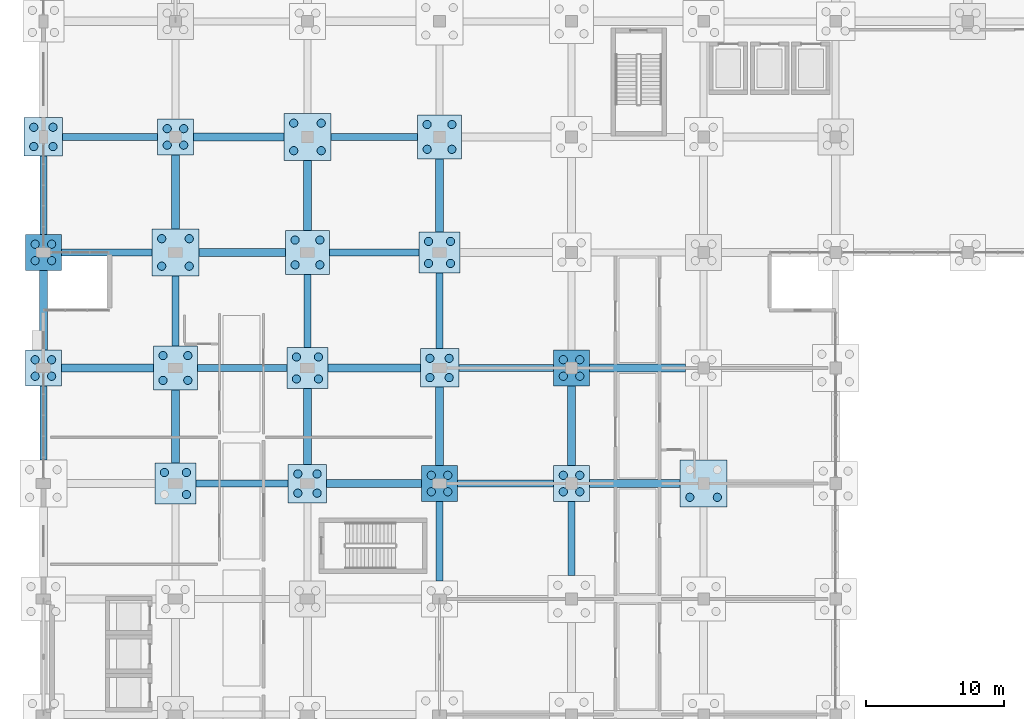
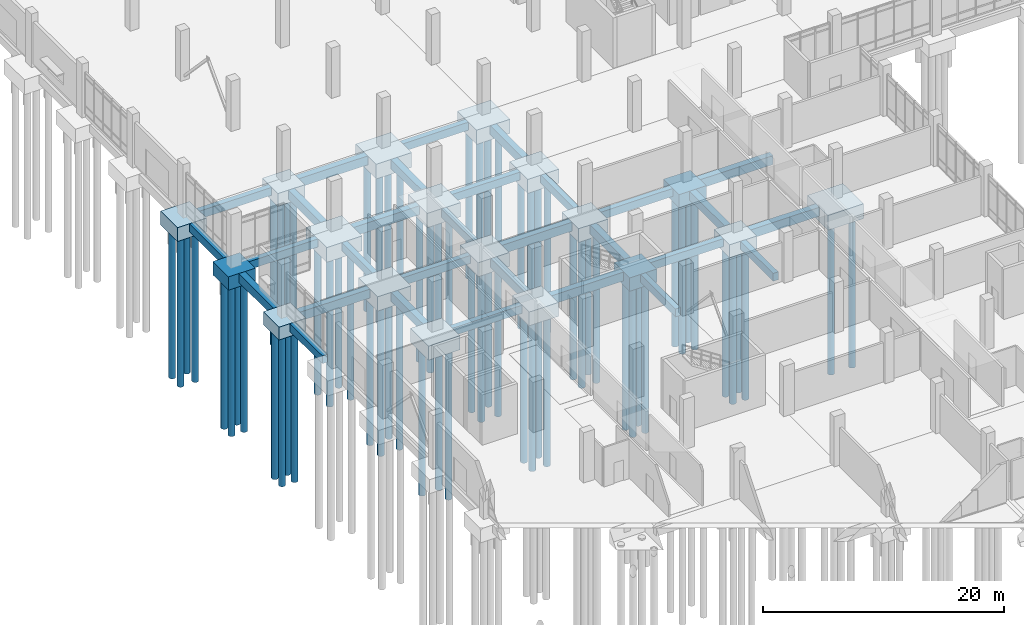
# One storey, part 6 of 136: 69 piles, 48 footings.
"""IFC4 building model written with IfcOpenShell, lengths in metres."""

from ifc_helpers import new_model, si_unit, direction, frame, origin, origin_2d, place, context, subcontext, project, spatial, rectangle, circle, extrude, material, material_profile, profile_set, type_object, element, save


model = new_model("IFC4")

# Units and contexts
model_context = context("Model", 3, precision=1e-05, world=origin(), true_north=direction((0.0, 1.0)))
body_context = subcontext(model_context, "Body", "Model", "MODEL_VIEW")
ifc_project = project(units=[si_unit("LENGTHUNIT", "METRE"), si_unit("AREAUNIT", "SQUARE_METRE"), si_unit("VOLUMEUNIT", "CUBIC_METRE"), si_unit("PLANEANGLEUNIT", "RADIAN"), si_unit("MASSUNIT", "GRAM", prefix="KILO")], contexts=[model_context])

# Site, building, storey
site_placement = place(None, origin())
site = spatial("IfcSite", under=ifc_project, at=site_placement, CompositionType="ELEMENT")
building_placement = place(site_placement, origin())
building = spatial("IfcBuilding", under=site, at=building_placement, Name="Oolite Switchyard Hospital", CompositionType="ELEMENT")
storey_placement = place(building_placement, origin())
storey = spatial("IfcBuildingStorey", under=building, at=storey_placement, Name="L00", CompositionType="ELEMENT", Elevation=0.0)

# Footings
ifc_material = material(Name="Concrete C40/50", Category="concrete")
footing_type_1 = type_object("IfcFootingType", Name="FTG-GB500X800", PredefinedType="FOOTING_BEAM", material=ifc_material)
footing_1_placement = place(storey_placement, frame((14.449951171875, 67.199951171875, -1.14990234375), z_axis=(0.0, 0.0, 1.0), x_axis=(1.0, 0.0, 0.0)))
element("IfcFooting", 1, at=footing_1_placement, inside=storey, type_object=footing_type_1, Name="L00 Grade Beam 112", PredefinedType="FOOTING_BEAM", context=body_context, shape_type="SweptSolid", body=[
    extrude(rectangle(XDim=6.699951171875, YDim=0.5, at=origin_2d()), origin(), (0.0, 0.0, 1.0), 0.800048828125),
])
footing_2_placement = place(storey_placement, frame((33.60009765625, 67.199951171875, -1.14990234375), z_axis=(0.0, 0.0, 1.0), x_axis=(1.0, 0.0, 0.0)))
element("IfcFooting", 2, at=footing_2_placement, inside=storey, type_object=footing_type_1, Name="L00 Grade Beam 114", PredefinedType="FOOTING_BEAM", context=body_context, shape_type="SweptSolid", body=[
    extrude(rectangle(XDim=7.0, YDim=0.5, at=origin_2d()), origin(), (0.0, 0.0, 1.0), 0.800048828125),
])
footing_3_placement = place(storey_placement, frame((14.449951171875, 75.60009765625, -1.14990234375), z_axis=(0.0, 0.0, 1.0), x_axis=(1.0, 0.0, 0.0)))
element("IfcFooting", 3, at=footing_3_placement, inside=storey, type_object=footing_type_1, Name="L00 Grade Beam 128", PredefinedType="FOOTING_BEAM", context=body_context, shape_type="SweptSolid", body=[
    extrude(rectangle(XDim=6.5, YDim=0.5, at=origin_2d()), origin(), (0.0, 0.0, 1.0), 0.800048828125),
])
footing_4_placement = place(storey_placement, frame((33.64990234375, 75.60009765625, -1.14990234375), z_axis=(0.0, 0.0, 1.0), x_axis=(1.0, 0.0, 0.0)))
element("IfcFooting", 4, at=footing_4_placement, inside=storey, type_object=footing_type_1, Name="L00 Grade Beam 130", PredefinedType="FOOTING_BEAM", context=body_context, shape_type="SweptSolid", body=[
    extrude(rectangle(XDim=6.89990234375, YDim=0.5, at=origin_2d()), origin(), (0.0, 0.0, 1.0), 0.800048828125),
])
footing_5_placement = place(storey_placement, frame((4.60009765625, 84.0, -1.14990234375), z_axis=(0.0, 0.0, 1.0), x_axis=(1.0, 0.0, 0.0)))
element("IfcFooting", 5, at=footing_5_placement, inside=storey, type_object=footing_type_1, Name="L00 Grade Beam 142", PredefinedType="FOOTING_BEAM", context=body_context, shape_type="SweptSolid", body=[
    extrude(rectangle(XDim=6.60009765625, YDim=0.5, at=origin_2d()), origin(), (0.0, 0.0, 1.0), 0.800048828125),
])
footing_6_placement = place(storey_placement, frame((24.050048828125, 84.0, -1.14990234375), z_axis=(0.0, 0.0, 1.0), x_axis=(1.0, 0.0, 0.0)))
element("IfcFooting", 6, at=footing_6_placement, inside=storey, type_object=footing_type_1, Name="L00 Grade Beam 144", PredefinedType="FOOTING_BEAM", context=body_context, shape_type="SweptSolid", body=[
    extrude(rectangle(XDim=6.5, YDim=0.5, at=origin_2d()), origin(), (0.0, 0.0, 1.0), 0.800048828125),
])
footing_7_placement = place(storey_placement, frame((4.85009765625, 92.39990234375, -1.14990234375), z_axis=(0.0, 0.0, 1.0), x_axis=(1.0, 0.0, 0.0)))
element("IfcFooting", 7, at=footing_7_placement, inside=storey, type_object=footing_type_1, Name="L00 Grade Beam 160", PredefinedType="FOOTING_BEAM", context=body_context, shape_type="SweptSolid", body=[
    extrude(rectangle(XDim=6.89990234375, YDim=0.5, at=origin_2d()), origin(), (0.0, 0.0, 1.0), 0.800048828125),
])
footing_8_placement = place(storey_placement, frame((24.050048828125, 92.39990234375, -1.14990234375), z_axis=(0.0, 0.0, 1.0), x_axis=(1.0, 0.0, 0.0)))
element("IfcFooting", 8, at=footing_8_placement, inside=storey, type_object=footing_type_1, Name="L00 Grade Beam 162", PredefinedType="FOOTING_BEAM", context=body_context, shape_type="SweptSolid", body=[
    extrude(rectangle(XDim=6.300048828125, YDim=0.5, at=origin_2d()), origin(), (0.0, 0.0, 1.0), 0.800048828125),
])
footing_9_placement = place(storey_placement, frame((0.0, 71.60009765625, -1.14990234375), z_axis=(0.0, 0.0, 1.0), x_axis=(0.0, 1.0, 0.0)))
element("IfcFooting", 9, at=footing_9_placement, inside=storey, type_object=footing_type_1, Name="L00 Grade Beam 273", PredefinedType="FOOTING_BEAM", context=body_context, shape_type="SweptSolid", body=[
    extrude(rectangle(XDim=5.39990234375, YDim=0.5, at=origin_2d()), origin(), (0.0, 0.0, 1.0), 0.800048828125),
])
footing_10_placement = place(storey_placement, frame((0.0, 88.14990234375, -1.14990234375), z_axis=(0.0, 0.0, 1.0), x_axis=(0.0, 1.0, 0.0)))
element("IfcFooting", 10, at=footing_10_placement, inside=storey, type_object=footing_type_1, Name="L00 Grade Beam 275", PredefinedType="FOOTING_BEAM", context=body_context, shape_type="SweptSolid", body=[
    extrude(rectangle(XDim=5.699951171875, YDim=0.5, at=origin_2d()), origin(), (0.0, 0.0, 1.0), 0.800048828125),
])
footing_11_placement = place(storey_placement, frame((9.60009765625, 79.75, -1.14990234375), z_axis=(0.0, 0.0, 1.0), x_axis=(0.0, 1.0, 0.0)))
element("IfcFooting", 11, at=footing_11_placement, inside=storey, type_object=footing_type_1, Name="L00 Grade Beam 289", PredefinedType="FOOTING_BEAM", context=body_context, shape_type="SweptSolid", body=[
    extrude(rectangle(XDim=5.10009765625, YDim=0.5, at=origin_2d()), origin(), (0.0, 0.0, 1.0), 0.800048828125),
])
footing_12_placement = place(storey_placement, frame((19.199951171875, 79.75, -1.14990234375), z_axis=(0.0, 0.0, 1.0), x_axis=(0.0, 1.0, 0.0)))
element("IfcFooting", 12, at=footing_12_placement, inside=storey, type_object=footing_type_1, Name="L00 Grade Beam 305", PredefinedType="FOOTING_BEAM", context=body_context, shape_type="SweptSolid", body=[
    extrude(rectangle(XDim=5.300048828125, YDim=0.5, at=origin_2d()), origin(), (0.0, 0.0, 1.0), 0.800048828125),
])
footing_13_placement = place(storey_placement, frame((28.800048828125, 63.0, -1.14990234375), z_axis=(0.0, 0.0, 1.0), x_axis=(0.0, 1.0, 0.0)))
element("IfcFooting", 13, at=footing_13_placement, inside=storey, type_object=footing_type_1, Name="L00 Grade Beam 319", PredefinedType="FOOTING_BEAM", context=body_context, shape_type="SweptSolid", body=[
    extrude(rectangle(XDim=5.800048828125, YDim=0.5, at=origin_2d()), origin(), (0.0, 0.0, 1.0), 0.800048828125),
])
footing_14_placement = place(storey_placement, frame((28.800048828125, 79.75, -1.14990234375), z_axis=(0.0, 0.0, 1.0), x_axis=(0.0, 1.0, 0.0)))
element("IfcFooting", 14, at=footing_14_placement, inside=storey, type_object=footing_type_1, Name="L00 Grade Beam 321", PredefinedType="FOOTING_BEAM", context=body_context, shape_type="SweptSolid", body=[
    extrude(rectangle(XDim=5.5, YDim=0.5, at=origin_2d()), origin(), (0.0, 0.0, 1.0), 0.800048828125),
])
footing_15_placement = place(storey_placement, frame((38.39990234375, 63.199951171875, -1.14990234375), z_axis=(0.0, 0.0, 1.0), x_axis=(0.0, 1.0, 0.0)))
element("IfcFooting", 15, at=footing_15_placement, inside=storey, type_object=footing_type_1, Name="L00 Grade Beam 335", PredefinedType="FOOTING_BEAM", context=body_context, shape_type="SweptSolid", body=[
    extrude(rectangle(XDim=5.39990234375, YDim=0.5, at=origin_2d()), origin(), (0.0, 0.0, 1.0), 0.800048828125),
])
footing_type_2 = type_object("IfcFootingType", Name="FTG-GB600X900", PredefinedType="FOOTING_BEAM", material=ifc_material)
footing_16_placement = place(storey_placement, frame((24.050048828125, 67.199951171875, -1.25), z_axis=(0.0, 0.0, 1.0), x_axis=(1.0, 0.0, 0.0)))
element("IfcFooting", 16, at=footing_16_placement, inside=storey, type_object=footing_type_2, Name="L00 Grade Beam 113", PredefinedType="FOOTING_BEAM", context=body_context, shape_type="SweptSolid", body=[
    extrude(rectangle(XDim=6.89990234375, YDim=0.60009765625, at=origin_2d()), origin(), (0.0, 0.0, 1.0), 0.89990234375),
])
footing_17_placement = place(storey_placement, frame((43.0, 67.199951171875, -1.25), z_axis=(0.0, 0.0, 1.0), x_axis=(1.0, 0.0, 0.0)))
element("IfcFooting", 17, at=footing_17_placement, inside=storey, type_object=footing_type_2, Name="L00 Grade Beam 115", PredefinedType="FOOTING_BEAM", context=body_context, shape_type="SweptSolid", body=[
    extrude(rectangle(XDim=6.60009765625, YDim=0.60009765625, at=origin_2d()), origin(), (0.0, 0.0, 1.0), 0.89990234375),
])
for number, where, z_axis, x_axis, name in (
    (18, (4.64990234375, 75.60009765625, -1.25), (0.0, 0.0, 1.0), (1.0, 0.0, 0.0), "L00 Grade Beam 127"),
    (19, (24.050048828125, 75.60009765625, -1.25), (0.0, 0.0, 1.0), (1.0, 0.0, 0.0), "L00 Grade Beam 129"),
):
    element("IfcFooting", number, at=place(storey_placement, frame(where, z_axis=z_axis, x_axis=x_axis)), inside=storey, type_object=footing_type_2, Name=name, PredefinedType="FOOTING_BEAM", context=body_context, shape_type="SweptSolid", body=[
        extrude(rectangle(XDim=6.699951171875, YDim=0.60009765625, at=origin_2d()), origin(), (0.0, 0.0, 1.0), 0.89990234375),
    ])
footing_18_placement = place(storey_placement, frame((43.199951171875, 75.60009765625, -1.25), z_axis=(0.0, 0.0, 1.0), x_axis=(1.0, 0.0, 0.0)))
element("IfcFooting", 20, at=footing_18_placement, inside=storey, type_object=footing_type_2, Name="L00 Grade Beam 131", PredefinedType="FOOTING_BEAM", context=body_context, shape_type="SweptSolid", body=[
    extrude(rectangle(XDim=7.0, YDim=0.60009765625, at=origin_2d()), origin(), (0.0, 0.0, 1.0), 0.89990234375),
])
footing_19_placement = place(storey_placement, frame((14.449951171875, 84.0, -1.25), z_axis=(0.0, 0.0, 1.0), x_axis=(1.0, 0.0, 0.0)))
element("IfcFooting", 21, at=footing_19_placement, inside=storey, type_object=footing_type_2, Name="L00 Grade Beam 143", PredefinedType="FOOTING_BEAM", context=body_context, shape_type="SweptSolid", body=[
    extrude(rectangle(XDim=6.300048828125, YDim=0.60009765625, at=origin_2d()), origin(), (0.0, 0.0, 1.0), 0.89990234375),
])
footing_20_placement = place(storey_placement, frame((14.199951171875, 92.39990234375, -1.25), z_axis=(0.0, 0.0, 1.0), x_axis=(1.0, 0.0, 0.0)))
element("IfcFooting", 22, at=footing_20_placement, inside=storey, type_object=footing_type_2, Name="L00 Grade Beam 161", PredefinedType="FOOTING_BEAM", context=body_context, shape_type="SweptSolid", body=[
    extrude(rectangle(XDim=6.60009765625, YDim=0.60009765625, at=origin_2d()), origin(), (0.0, 0.0, 1.0), 0.89990234375),
])
footing_21_placement = place(storey_placement, frame((0.0, 79.800048828125, -1.25), z_axis=(0.0, 0.0, 1.0), x_axis=(0.0, 1.0, 0.0)))
element("IfcFooting", 23, at=footing_21_placement, inside=storey, type_object=footing_type_2, Name="L00 Grade Beam 274", PredefinedType="FOOTING_BEAM", context=body_context, shape_type="SweptSolid", body=[
    extrude(rectangle(XDim=5.800048828125, YDim=0.60009765625, at=origin_2d()), origin(), (0.0, 0.0, 1.0), 0.89990234375),
])
footing_22_placement = place(storey_placement, frame((9.60009765625, 71.35009765625, -1.25), z_axis=(0.0, 0.0, 1.0), x_axis=(0.0, 1.0, 0.0)))
element("IfcFooting", 24, at=footing_22_placement, inside=storey, type_object=footing_type_2, Name="L00 Grade Beam 288", PredefinedType="FOOTING_BEAM", context=body_context, shape_type="SweptSolid", body=[
    extrude(rectangle(XDim=5.300048828125, YDim=0.60009765625, at=origin_2d()), origin(), (0.0, 0.0, 1.0), 0.89990234375),
])
footing_23_placement = place(storey_placement, frame((9.60009765625, 88.39990234375, -1.25), z_axis=(0.0, 0.0, 1.0), x_axis=(0.0, 1.0, 0.0)))
element("IfcFooting", 25, at=footing_23_placement, inside=storey, type_object=footing_type_2, Name="L00 Grade Beam 290", PredefinedType="FOOTING_BEAM", context=body_context, shape_type="SweptSolid", body=[
    extrude(rectangle(XDim=5.39990234375, YDim=0.60009765625, at=origin_2d()), origin(), (0.0, 0.0, 1.0), 0.89990234375),
])
footing_24_placement = place(storey_placement, frame((19.199951171875, 71.35009765625, -1.25), z_axis=(0.0, 0.0, 1.0), x_axis=(0.0, 1.0, 0.0)))
element("IfcFooting", 26, at=footing_24_placement, inside=storey, type_object=footing_type_2, Name="L00 Grade Beam 304", PredefinedType="FOOTING_BEAM", context=body_context, shape_type="SweptSolid", body=[
    extrude(rectangle(XDim=5.5, YDim=0.60009765625, at=origin_2d()), origin(), (0.0, 0.0, 1.0), 0.89990234375),
])
footing_25_placement = place(storey_placement, frame((19.199951171875, 88.14990234375, -1.25), z_axis=(0.0, 0.0, 1.0), x_axis=(0.0, 1.0, 0.0)))
element("IfcFooting", 27, at=footing_25_placement, inside=storey, type_object=footing_type_2, Name="L00 Grade Beam 306", PredefinedType="FOOTING_BEAM", context=body_context, shape_type="SweptSolid", body=[
    extrude(rectangle(XDim=5.10009765625, YDim=0.60009765625, at=origin_2d()), origin(), (0.0, 0.0, 1.0), 0.89990234375),
])
footing_26_placement = place(storey_placement, frame((28.800048828125, 71.35009765625, -1.25), z_axis=(0.0, 0.0, 1.0), x_axis=(0.0, 1.0, 0.0)))
element("IfcFooting", 28, at=footing_26_placement, inside=storey, type_object=footing_type_2, Name="L00 Grade Beam 320", PredefinedType="FOOTING_BEAM", context=body_context, shape_type="SweptSolid", body=[
    extrude(rectangle(XDim=5.699951171875, YDim=0.60009765625, at=origin_2d()), origin(), (0.0, 0.0, 1.0), 0.89990234375),
])
footing_27_placement = place(storey_placement, frame((28.800048828125, 88.14990234375, -1.25), z_axis=(0.0, 0.0, 1.0), x_axis=(0.0, 1.0, 0.0)))
element("IfcFooting", 29, at=footing_27_placement, inside=storey, type_object=footing_type_2, Name="L00 Grade Beam 322", PredefinedType="FOOTING_BEAM", context=body_context, shape_type="SweptSolid", body=[
    extrude(rectangle(XDim=5.300048828125, YDim=0.60009765625, at=origin_2d()), origin(), (0.0, 0.0, 1.0), 0.89990234375),
])
footing_28_placement = place(storey_placement, frame((38.39990234375, 71.39990234375, -1.25), z_axis=(0.0, 0.0, 1.0), x_axis=(0.0, 1.0, 0.0)))
element("IfcFooting", 30, at=footing_28_placement, inside=storey, type_object=footing_type_2, Name="L00 Grade Beam 336", PredefinedType="FOOTING_BEAM", context=body_context, shape_type="SweptSolid", body=[
    extrude(rectangle(XDim=5.800048828125, YDim=0.60009765625, at=origin_2d()), origin(), (0.0, 0.0, 1.0), 0.89990234375),
])
footing_type_3 = type_object("IfcFootingType", Name="FTG-PC24", PredefinedType="PILE_CAP", material=ifc_material)
for number, where, z_axis, x_axis, name in (
    (31, (0.0, 75.60009765625, -1.64990234375), (0.0, 0.0, 1.0), (1.0, 0.0, 0.0), "L00 Multi-Pile Cap 13"),
    (32, (9.60009765625, 92.39990234375, -1.64990234375), (0.0, 0.0, 1.0), (1.0, 0.0, 0.0), "L00 Multi-Pile Cap 31"),
    (33, (38.39990234375, 67.199951171875, -1.64990234375), (0.0, 0.0, 1.0), (1.0, 0.0, 0.0), "L00 Multi-Pile Cap 79"),
):
    element("IfcFooting", number, at=place(storey_placement, frame(where, z_axis=z_axis, x_axis=x_axis)), inside=storey, type_object=footing_type_3, Name=name, PredefinedType="PILE_CAP", context=body_context, shape_type="SweptSolid", body=[
        extrude(rectangle(XDim=2.60009765625, YDim=2.60009765625, at=origin_2d()), origin(), (0.0, 0.0, 1.0), 1.300048828125),
    ])
footing_type_4 = type_object("IfcFootingType", Name="FTG-PC26", PredefinedType="PILE_CAP", material=ifc_material)
for number, where, z_axis, x_axis, name in (
    (34, (0.0, 84.0, -1.699951171875), (0.0, 0.0, 1.0), (1.0, 0.0, 0.0), "L00 Multi-Pile Cap 14"),
    (35, (28.800048828125, 67.199951171875, -1.699951171875), (0.0, 0.0, 1.0), (1.0, 0.0, 0.0), "L00 Multi-Pile Cap 62"),
    (36, (38.39990234375, 75.60009765625, -1.699951171875), (0.0, 0.0, 1.0), (1.0, 0.0, 0.0), "L00 Multi-Pile Cap 80"),
):
    element("IfcFooting", number, at=place(storey_placement, frame(where, z_axis=z_axis, x_axis=x_axis)), inside=storey, type_object=footing_type_4, Name=name, PredefinedType="PILE_CAP", context=body_context, shape_type="SweptSolid", body=[
        extrude(rectangle(XDim=2.60009765625, YDim=2.60009765625, at=origin_2d()), origin(), (0.0, 0.0, 1.0), 1.35009765625),
    ])
footing_type_5 = type_object("IfcFootingType", Name="FTG-PC28", PredefinedType="PILE_CAP", material=ifc_material)
for number, where, z_axis, x_axis, name in (
    (37, (0.0, 92.39990234375, -1.75), (0.0, 0.0, 1.0), (1.0, 0.0, 0.0), "L00 Multi-Pile Cap 15"),
    (38, (19.199951171875, 67.199951171875, -1.75), (0.0, 0.0, 1.0), (1.0, 0.0, 0.0), "L00 Multi-Pile Cap 45"),
    (39, (28.800048828125, 75.60009765625, -1.75), (0.0, 0.0, 1.0), (1.0, 0.0, 0.0), "L00 Multi-Pile Cap 63"),
):
    element("IfcFooting", number, at=place(storey_placement, frame(where, z_axis=z_axis, x_axis=x_axis)), inside=storey, type_object=footing_type_5, Name=name, PredefinedType="PILE_CAP", context=body_context, shape_type="SweptSolid", body=[
        extrude(rectangle(XDim=2.800048828125, YDim=2.800048828125, at=origin_2d()), origin(), (0.0, 0.0, 1.0), 1.39990234375),
    ])
footing_type_6 = type_object("IfcFootingType", Name="FTG-PC30", PredefinedType="PILE_CAP", material=ifc_material)
for number, where, z_axis, x_axis, name in (
    (40, (9.60009765625, 67.199951171875, -1.77001953125), (0.0, 0.0, 1.0), (1.0, 0.0, 0.0), "L00 Multi-Pile Cap 28"),
    (41, (19.199951171875, 75.60009765625, -1.77001953125), (0.0, 0.0, 1.0), (1.0, 0.0, 0.0), "L00 Multi-Pile Cap 46"),
    (42, (28.800048828125, 84.0, -1.77001953125), (0.0, 0.0, 1.0), (1.0, 0.0, 0.0), "L00 Multi-Pile Cap 64"),
):
    element("IfcFooting", number, at=place(storey_placement, frame(where, z_axis=z_axis, x_axis=x_axis)), inside=storey, type_object=footing_type_6, Name=name, PredefinedType="PILE_CAP", context=body_context, shape_type="SweptSolid", body=[
        extrude(rectangle(XDim=3.0, YDim=3.0, at=origin_2d()), origin(), (0.0, 0.0, 1.0), 1.419921875),
    ])
footing_type_7 = type_object("IfcFootingType", Name="FTG-PC32", PredefinedType="PILE_CAP", material=ifc_material)
for number, where, z_axis, x_axis, name in (
    (43, (9.60009765625, 75.60009765625, -1.7998046875), (0.0, 0.0, 1.0), (1.0, 0.0, 0.0), "L00 Multi-Pile Cap 29"),
    (44, (19.199951171875, 84.0, -1.7998046875), (0.0, 0.0, 1.0), (1.0, 0.0, 0.0), "L00 Multi-Pile Cap 47"),
    (45, (28.800048828125, 92.39990234375, -1.7998046875), (0.0, 0.0, 1.0), (1.0, 0.0, 0.0), "L00 Multi-Pile Cap 65"),
):
    element("IfcFooting", number, at=place(storey_placement, frame(where, z_axis=z_axis, x_axis=x_axis)), inside=storey, type_object=footing_type_7, Name=name, PredefinedType="PILE_CAP", context=body_context, shape_type="SweptSolid", body=[
        extrude(rectangle(XDim=3.199951171875, YDim=3.199951171875, at=origin_2d()), origin(), (0.0, 0.0, 1.0), 1.449951171875),
    ])
footing_type_8 = type_object("IfcFootingType", Name="FTG-PC34", PredefinedType="PILE_CAP", material=ifc_material)
for number, where, z_axis, x_axis, name in (
    (46, (9.60009765625, 84.0, -1.85009765625), (0.0, 0.0, 1.0), (1.0, 0.0, 0.0), "L00 Multi-Pile Cap 30"),
    (47, (19.199951171875, 92.39990234375, -1.85009765625), (0.0, 0.0, 1.0), (1.0, 0.0, 0.0), "L00 Multi-Pile Cap 48"),
    (48, (48.0, 67.199951171875, -1.85009765625), (0.0, 0.0, 1.0), (1.0, 0.0, 0.0), "L00 Multi-Pile Cap 96"),
):
    element("IfcFooting", number, at=place(storey_placement, frame(where, z_axis=z_axis, x_axis=x_axis)), inside=storey, type_object=footing_type_8, Name=name, PredefinedType="PILE_CAP", context=body_context, shape_type="SweptSolid", body=[
        extrude(rectangle(XDim=3.39990234375, YDim=3.39990234375, at=origin_2d()), origin(), (0.0, 0.0, 1.0), 1.5),
    ])

# Piles
ifc_material_profile = material_profile(ifc_material, circle(Radius=0.300048828125, at=origin_2d()), Name="PILE600")
ifc_profile_set = profile_set([ifc_material_profile], Name="Concrete C40/50")
pile_type = type_object("IfcPileType", Name="PILE-ACIP600", PredefinedType="BORED", material=ifc_profile_set)
for number, where, z_axis, x_axis, name in (
    (49, (-0.60009765625, 75.0, -1.5), (0.0, 0.0, -1.0), (1.0, 0.0, 0.0), "Augercast Pile 49"),
    (50, (0.60009765625, 75.0, -1.5), (0.0, 0.0, -1.0), (1.0, 0.0, 0.0), "Augercast Pile 50"),
    (51, (-0.60009765625, 76.199951171875, -1.5), (0.0, 0.0, -1.0), (1.0, 0.0, 0.0), "Augercast Pile 51"),
    (52, (0.60009765625, 76.199951171875, -1.5), (0.0, 0.0, -1.0), (1.0, 0.0, 0.0), "Augercast Pile 52"),
):
    element("IfcPile", number, at=place(storey_placement, frame(where, z_axis=z_axis, x_axis=x_axis)), inside=storey, type_object=pile_type, Name=name, PredefinedType="BORED", context=body_context, shape_type="SweptSolid", body=[
        extrude(circle(Radius=0.300048828125, at=origin_2d()), origin(), (0.0, 0.0, 1.0), 15.5),
    ])
for number, where, z_axis, x_axis, name in (
    (53, (-0.60009765625, 83.39990234375, -1.550048828125), (0.0, 0.0, -1.0), (1.0, 0.0, 0.0), "Augercast Pile 53"),
    (54, (0.60009765625, 83.39990234375, -1.550048828125), (0.0, 0.0, -1.0), (1.0, 0.0, 0.0), "Augercast Pile 54"),
    (55, (-0.60009765625, 84.60009765625, -1.550048828125), (0.0, 0.0, -1.0), (1.0, 0.0, 0.0), "Augercast Pile 55"),
    (56, (0.60009765625, 84.60009765625, -1.550048828125), (0.0, 0.0, -1.0), (1.0, 0.0, 0.0), "Augercast Pile 56"),
):
    element("IfcPile", number, at=place(storey_placement, frame(where, z_axis=z_axis, x_axis=x_axis)), inside=storey, type_object=pile_type, Name=name, PredefinedType="BORED", context=body_context, shape_type="SweptSolid", body=[
        extrude(circle(Radius=0.300048828125, at=origin_2d()), origin(), (0.0, 0.0, 1.0), 15.449951171875),
    ])
for number, where, z_axis, x_axis, name in (
    (57, (-0.699951171875, 91.699951171875, -1.60009765625), (0.0, 0.0, -1.0), (1.0, 0.0, 0.0), "Augercast Pile 57"),
    (58, (0.699951171875, 91.699951171875, -1.60009765625), (0.0, 0.0, -1.0), (1.0, 0.0, 0.0), "Augercast Pile 58"),
    (59, (-0.699951171875, 93.10009765625, -1.60009765625), (0.0, 0.0, -1.0), (1.0, 0.0, 0.0), "Augercast Pile 59"),
    (60, (0.699951171875, 93.10009765625, -1.60009765625), (0.0, 0.0, -1.0), (1.0, 0.0, 0.0), "Augercast Pile 60"),
):
    element("IfcPile", number, at=place(storey_placement, frame(where, z_axis=z_axis, x_axis=x_axis)), inside=storey, type_object=pile_type, Name=name, PredefinedType="BORED", context=body_context, shape_type="SweptSolid", body=[
        extrude(circle(Radius=0.300048828125, at=origin_2d()), origin(), (0.0, 0.0, 1.0), 15.39990234375),
    ])
for number, where, z_axis, x_axis, name in (
    (61, (10.39990234375, 66.39990234375, -1.6201171875), (0.0, 0.0, -1.0), (1.0, 0.0, 0.0), "Augercast Pile 110"),
    (62, (8.800048828125, 68.0, -1.6201171875), (0.0, 0.0, -1.0), (1.0, 0.0, 0.0), "Augercast Pile 111"),
    (63, (10.39990234375, 68.0, -1.6201171875), (0.0, 0.0, -1.0), (1.0, 0.0, 0.0), "Augercast Pile 112"),
):
    element("IfcPile", number, at=place(storey_placement, frame(where, z_axis=z_axis, x_axis=x_axis)), inside=storey, type_object=pile_type, Name=name, PredefinedType="BORED", context=body_context, shape_type="SweptSolid", body=[
        extrude(circle(Radius=0.300048828125, at=origin_2d()), origin(), (0.0, 0.0, 1.0), 15.3798828125),
    ])
for number, where, z_axis, x_axis, name in (
    (64, (8.699951171875, 74.699951171875, -1.64990234375), (0.0, 0.0, -1.0), (1.0, 0.0, 0.0), "Augercast Pile 113"),
    (65, (10.5, 74.699951171875, -1.64990234375), (0.0, 0.0, -1.0), (1.0, 0.0, 0.0), "Augercast Pile 114"),
    (66, (8.699951171875, 76.5, -1.64990234375), (0.0, 0.0, -1.0), (1.0, 0.0, 0.0), "Augercast Pile 115"),
    (67, (10.5, 76.5, -1.64990234375), (0.0, 0.0, -1.0), (1.0, 0.0, 0.0), "Augercast Pile 116"),
):
    element("IfcPile", number, at=place(storey_placement, frame(where, z_axis=z_axis, x_axis=x_axis)), inside=storey, type_object=pile_type, Name=name, PredefinedType="BORED", context=body_context, shape_type="SweptSolid", body=[
        extrude(circle(Radius=0.300048828125, at=origin_2d()), origin(), (0.0, 0.0, 1.0), 15.35009765625),
    ])
for number, where, z_axis, x_axis, name in (
    (68, (8.60009765625, 83.0, -1.699951171875), (0.0, 0.0, -1.0), (1.0, 0.0, 0.0), "Augercast Pile 117"),
    (69, (10.60009765625, 83.0, -1.699951171875), (0.0, 0.0, -1.0), (1.0, 0.0, 0.0), "Augercast Pile 118"),
    (70, (8.60009765625, 85.0, -1.699951171875), (0.0, 0.0, -1.0), (1.0, 0.0, 0.0), "Augercast Pile 119"),
    (71, (10.60009765625, 85.0, -1.699951171875), (0.0, 0.0, -1.0), (1.0, 0.0, 0.0), "Augercast Pile 120"),
):
    element("IfcPile", number, at=place(storey_placement, frame(where, z_axis=z_axis, x_axis=x_axis)), inside=storey, type_object=pile_type, Name=name, PredefinedType="BORED", context=body_context, shape_type="SweptSolid", body=[
        extrude(circle(Radius=0.300048828125, at=origin_2d()), origin(), (0.0, 0.0, 1.0), 15.300048828125),
    ])
for number, where, z_axis, x_axis, name in (
    (72, (9.0, 91.800048828125, -1.5), (0.0, 0.0, -1.0), (1.0, 0.0, 0.0), "Augercast Pile 121"),
    (73, (10.199951171875, 91.800048828125, -1.5), (0.0, 0.0, -1.0), (1.0, 0.0, 0.0), "Augercast Pile 122"),
    (74, (9.0, 93.0, -1.5), (0.0, 0.0, -1.0), (1.0, 0.0, 0.0), "Augercast Pile 123"),
    (75, (10.199951171875, 93.0, -1.5), (0.0, 0.0, -1.0), (1.0, 0.0, 0.0), "Augercast Pile 124"),
):
    element("IfcPile", number, at=place(storey_placement, frame(where, z_axis=z_axis, x_axis=x_axis)), inside=storey, type_object=pile_type, Name=name, PredefinedType="BORED", context=body_context, shape_type="SweptSolid", body=[
        extrude(circle(Radius=0.300048828125, at=origin_2d()), origin(), (0.0, 0.0, 1.0), 15.5),
    ])
for number, where, z_axis, x_axis, name in (
    (76, (18.5, 66.5, -1.60009765625), (0.0, 0.0, -1.0), (1.0, 0.0, 0.0), "Augercast Pile 177"),
    (77, (19.89990234375, 66.5, -1.60009765625), (0.0, 0.0, -1.0), (1.0, 0.0, 0.0), "Augercast Pile 178"),
    (78, (18.5, 67.89990234375, -1.60009765625), (0.0, 0.0, -1.0), (1.0, 0.0, 0.0), "Augercast Pile 179"),
    (79, (19.89990234375, 67.89990234375, -1.60009765625), (0.0, 0.0, -1.0), (1.0, 0.0, 0.0), "Augercast Pile 180"),
):
    element("IfcPile", number, at=place(storey_placement, frame(where, z_axis=z_axis, x_axis=x_axis)), inside=storey, type_object=pile_type, Name=name, PredefinedType="BORED", context=body_context, shape_type="SweptSolid", body=[
        extrude(circle(Radius=0.300048828125, at=origin_2d()), origin(), (0.0, 0.0, 1.0), 15.39990234375),
    ])
for number, where, z_axis, x_axis, name in (
    (80, (18.39990234375, 74.800048828125, -1.6201171875), (0.0, 0.0, -1.0), (1.0, 0.0, 0.0), "Augercast Pile 181"),
    (81, (20.0, 74.800048828125, -1.6201171875), (0.0, 0.0, -1.0), (1.0, 0.0, 0.0), "Augercast Pile 182"),
    (82, (18.39990234375, 76.39990234375, -1.6201171875), (0.0, 0.0, -1.0), (1.0, 0.0, 0.0), "Augercast Pile 183"),
    (83, (20.0, 76.39990234375, -1.6201171875), (0.0, 0.0, -1.0), (1.0, 0.0, 0.0), "Augercast Pile 184"),
):
    element("IfcPile", number, at=place(storey_placement, frame(where, z_axis=z_axis, x_axis=x_axis)), inside=storey, type_object=pile_type, Name=name, PredefinedType="BORED", context=body_context, shape_type="SweptSolid", body=[
        extrude(circle(Radius=0.300048828125, at=origin_2d()), origin(), (0.0, 0.0, 1.0), 15.3798828125),
    ])
for number, where, z_axis, x_axis, name in (
    (84, (18.300048828125, 83.10009765625, -1.64990234375), (0.0, 0.0, -1.0), (1.0, 0.0, 0.0), "Augercast Pile 185"),
    (85, (20.10009765625, 83.10009765625, -1.64990234375), (0.0, 0.0, -1.0), (1.0, 0.0, 0.0), "Augercast Pile 186"),
    (86, (18.300048828125, 84.89990234375, -1.64990234375), (0.0, 0.0, -1.0), (1.0, 0.0, 0.0), "Augercast Pile 187"),
    (87, (20.10009765625, 84.89990234375, -1.64990234375), (0.0, 0.0, -1.0), (1.0, 0.0, 0.0), "Augercast Pile 188"),
):
    element("IfcPile", number, at=place(storey_placement, frame(where, z_axis=z_axis, x_axis=x_axis)), inside=storey, type_object=pile_type, Name=name, PredefinedType="BORED", context=body_context, shape_type="SweptSolid", body=[
        extrude(circle(Radius=0.300048828125, at=origin_2d()), origin(), (0.0, 0.0, 1.0), 15.35009765625),
    ])
for number, where, z_axis, x_axis, name in (
    (88, (18.199951171875, 91.39990234375, -1.699951171875), (0.0, 0.0, -1.0), (1.0, 0.0, 0.0), "Augercast Pile 189"),
    (89, (20.199951171875, 91.39990234375, -1.699951171875), (0.0, 0.0, -1.0), (1.0, 0.0, 0.0), "Augercast Pile 190"),
    (90, (18.199951171875, 93.39990234375, -1.699951171875), (0.0, 0.0, -1.0), (1.0, 0.0, 0.0), "Augercast Pile 191"),
    (91, (20.199951171875, 93.39990234375, -1.699951171875), (0.0, 0.0, -1.0), (1.0, 0.0, 0.0), "Augercast Pile 192"),
):
    element("IfcPile", number, at=place(storey_placement, frame(where, z_axis=z_axis, x_axis=x_axis)), inside=storey, type_object=pile_type, Name=name, PredefinedType="BORED", context=body_context, shape_type="SweptSolid", body=[
        extrude(circle(Radius=0.300048828125, at=origin_2d()), origin(), (0.0, 0.0, 1.0), 15.300048828125),
    ])
for number, where, z_axis, x_axis, name in (
    (92, (28.199951171875, 66.60009765625, -1.550048828125), (0.0, 0.0, -1.0), (1.0, 0.0, 0.0), "Augercast Pile 245"),
    (93, (29.39990234375, 66.60009765625, -1.550048828125), (0.0, 0.0, -1.0), (1.0, 0.0, 0.0), "Augercast Pile 246"),
    (94, (28.199951171875, 67.800048828125, -1.550048828125), (0.0, 0.0, -1.0), (1.0, 0.0, 0.0), "Augercast Pile 247"),
    (95, (29.39990234375, 67.800048828125, -1.550048828125), (0.0, 0.0, -1.0), (1.0, 0.0, 0.0), "Augercast Pile 248"),
):
    element("IfcPile", number, at=place(storey_placement, frame(where, z_axis=z_axis, x_axis=x_axis)), inside=storey, type_object=pile_type, Name=name, PredefinedType="BORED", context=body_context, shape_type="SweptSolid", body=[
        extrude(circle(Radius=0.300048828125, at=origin_2d()), origin(), (0.0, 0.0, 1.0), 15.449951171875),
    ])
for number, where, z_axis, x_axis, name in (
    (96, (28.10009765625, 74.89990234375, -1.60009765625), (0.0, 0.0, -1.0), (1.0, 0.0, 0.0), "Augercast Pile 249"),
    (97, (29.5, 74.89990234375, -1.60009765625), (0.0, 0.0, -1.0), (1.0, 0.0, 0.0), "Augercast Pile 250"),
    (98, (28.10009765625, 76.300048828125, -1.60009765625), (0.0, 0.0, -1.0), (1.0, 0.0, 0.0), "Augercast Pile 251"),
    (99, (29.5, 76.300048828125, -1.60009765625), (0.0, 0.0, -1.0), (1.0, 0.0, 0.0), "Augercast Pile 252"),
):
    element("IfcPile", number, at=place(storey_placement, frame(where, z_axis=z_axis, x_axis=x_axis)), inside=storey, type_object=pile_type, Name=name, PredefinedType="BORED", context=body_context, shape_type="SweptSolid", body=[
        extrude(circle(Radius=0.300048828125, at=origin_2d()), origin(), (0.0, 0.0, 1.0), 15.39990234375),
    ])
for number, where, z_axis, x_axis, name in (
    (100, (28.0, 83.199951171875, -1.6201171875), (0.0, 0.0, -1.0), (1.0, 0.0, 0.0), "Augercast Pile 253"),
    (101, (29.60009765625, 83.199951171875, -1.6201171875), (0.0, 0.0, -1.0), (1.0, 0.0, 0.0), "Augercast Pile 254"),
    (102, (28.0, 84.800048828125, -1.6201171875), (0.0, 0.0, -1.0), (1.0, 0.0, 0.0), "Augercast Pile 255"),
    (103, (29.60009765625, 84.800048828125, -1.6201171875), (0.0, 0.0, -1.0), (1.0, 0.0, 0.0), "Augercast Pile 256"),
):
    element("IfcPile", number, at=place(storey_placement, frame(where, z_axis=z_axis, x_axis=x_axis)), inside=storey, type_object=pile_type, Name=name, PredefinedType="BORED", context=body_context, shape_type="SweptSolid", body=[
        extrude(circle(Radius=0.300048828125, at=origin_2d()), origin(), (0.0, 0.0, 1.0), 15.3798828125),
    ])
for number, where, z_axis, x_axis, name in (
    (104, (27.89990234375, 91.5, -1.64990234375), (0.0, 0.0, -1.0), (1.0, 0.0, 0.0), "Augercast Pile 257"),
    (105, (29.699951171875, 91.5, -1.64990234375), (0.0, 0.0, -1.0), (1.0, 0.0, 0.0), "Augercast Pile 258"),
    (106, (27.89990234375, 93.300048828125, -1.64990234375), (0.0, 0.0, -1.0), (1.0, 0.0, 0.0), "Augercast Pile 259"),
    (107, (29.699951171875, 93.300048828125, -1.64990234375), (0.0, 0.0, -1.0), (1.0, 0.0, 0.0), "Augercast Pile 260"),
):
    element("IfcPile", number, at=place(storey_placement, frame(where, z_axis=z_axis, x_axis=x_axis)), inside=storey, type_object=pile_type, Name=name, PredefinedType="BORED", context=body_context, shape_type="SweptSolid", body=[
        extrude(circle(Radius=0.300048828125, at=origin_2d()), origin(), (0.0, 0.0, 1.0), 15.35009765625),
    ])
for number, where, z_axis, x_axis, name in (
    (108, (37.800048828125, 66.60009765625, -1.5), (0.0, 0.0, -1.0), (1.0, 0.0, 0.0), "Augercast Pile 313"),
    (109, (39.0, 66.60009765625, -1.5), (0.0, 0.0, -1.0), (1.0, 0.0, 0.0), "Augercast Pile 314"),
    (110, (37.800048828125, 67.800048828125, -1.5), (0.0, 0.0, -1.0), (1.0, 0.0, 0.0), "Augercast Pile 315"),
    (111, (39.0, 67.800048828125, -1.5), (0.0, 0.0, -1.0), (1.0, 0.0, 0.0), "Augercast Pile 316"),
):
    element("IfcPile", number, at=place(storey_placement, frame(where, z_axis=z_axis, x_axis=x_axis)), inside=storey, type_object=pile_type, Name=name, PredefinedType="BORED", context=body_context, shape_type="SweptSolid", body=[
        extrude(circle(Radius=0.300048828125, at=origin_2d()), origin(), (0.0, 0.0, 1.0), 15.5),
    ])
for number, where, z_axis, x_axis, name in (
    (112, (37.800048828125, 75.0, -1.550048828125), (0.0, 0.0, -1.0), (1.0, 0.0, 0.0), "Augercast Pile 317"),
    (113, (39.0, 75.0, -1.550048828125), (0.0, 0.0, -1.0), (1.0, 0.0, 0.0), "Augercast Pile 318"),
    (114, (37.800048828125, 76.199951171875, -1.550048828125), (0.0, 0.0, -1.0), (1.0, 0.0, 0.0), "Augercast Pile 319"),
    (115, (39.0, 76.199951171875, -1.550048828125), (0.0, 0.0, -1.0), (1.0, 0.0, 0.0), "Augercast Pile 320"),
):
    element("IfcPile", number, at=place(storey_placement, frame(where, z_axis=z_axis, x_axis=x_axis)), inside=storey, type_object=pile_type, Name=name, PredefinedType="BORED", context=body_context, shape_type="SweptSolid", body=[
        extrude(circle(Radius=0.300048828125, at=origin_2d()), origin(), (0.0, 0.0, 1.0), 15.449951171875),
    ])
for number, where, z_axis, x_axis, name in (
    (116, (47.0, 66.199951171875, -1.699951171875), (0.0, 0.0, -1.0), (1.0, 0.0, 0.0), "Augercast Pile 381"),
    (117, (49.0, 66.199951171875, -1.699951171875), (0.0, 0.0, -1.0), (1.0, 0.0, 0.0), "Augercast Pile 382"),
):
    element("IfcPile", number, at=place(storey_placement, frame(where, z_axis=z_axis, x_axis=x_axis)), inside=storey, type_object=pile_type, Name=name, PredefinedType="BORED", context=body_context, shape_type="SweptSolid", body=[
        extrude(circle(Radius=0.300048828125, at=origin_2d()), origin(), (0.0, 0.0, 1.0), 15.300048828125),
    ])

save(model, "model.ifc")
